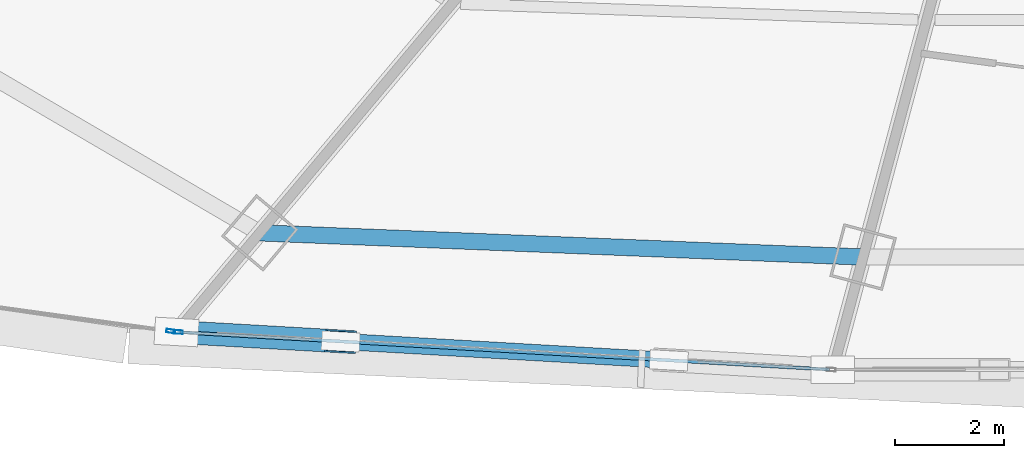
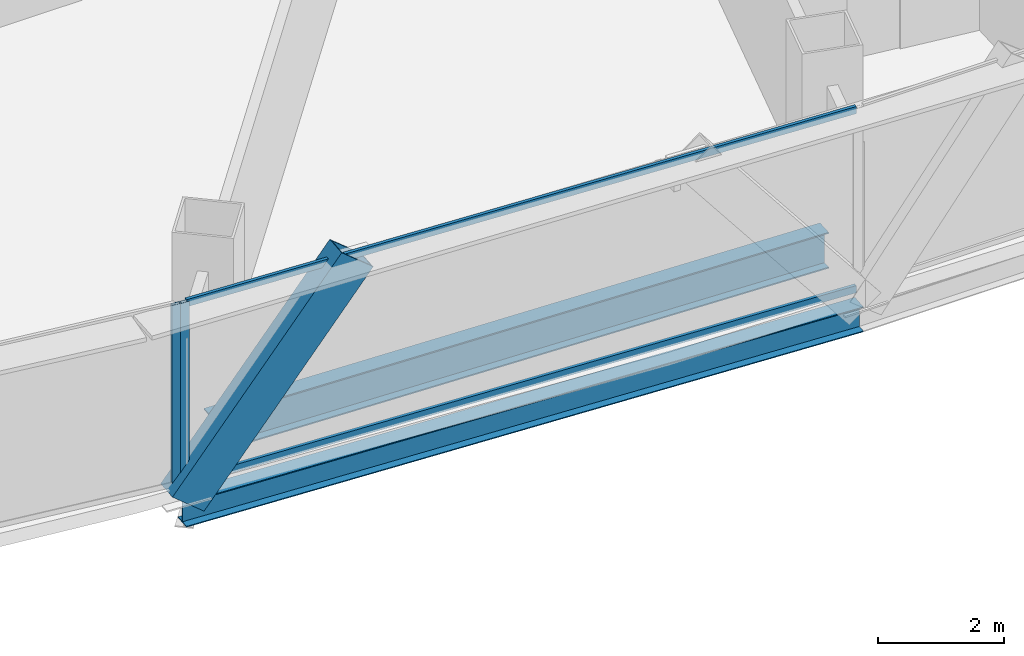
# One storey, part 6 of 38: 5 members, 2 beams, 2 elements without a shape of their own.
"""IFC4 building model written with IfcOpenShell, lengths in metres."""

from ifc_helpers import new_model, si_unit, direction, frame, origin, origin_2d, place, context, subcontext, project, spatial, hollow_rectangle, i_section, extrude, source, transform, mapped, material, layer, layer_set, material_profile, profile_set, type_object, element, aggregate, save


model = new_model("IFC4")

# Units and contexts
model_context = context("Model", 3, precision=1e-05, world=origin(), true_north=direction((0.0, 1.0)))
body_context = subcontext(model_context, "Body", "Model", "MODEL_VIEW")
ifc_project = project(units=[si_unit("LENGTHUNIT", "METRE"), si_unit("AREAUNIT", "SQUARE_METRE"), si_unit("VOLUMEUNIT", "CUBIC_METRE"), si_unit("PLANEANGLEUNIT", "RADIAN"), si_unit("MASSUNIT", "GRAM", prefix="KILO"), si_unit("THERMODYNAMICTEMPERATUREUNIT", "KELVIN"), si_unit("POWERUNIT", "WATT")], contexts=[model_context])

# Site, building, storey
site_placement = place(None, origin())
site = spatial("IfcSite", under=ifc_project, at=site_placement, CompositionType="ELEMENT")
building_placement = place(site_placement, origin())
building = spatial("IfcBuilding", under=site, at=building_placement, Name="Yunzhuo Pagoda Commons", CompositionType="ELEMENT")
storey_placement = place(building_placement, frame((0.0, 0.0, 81.179931640625)))
storey = spatial("IfcBuildingStorey", under=building, at=storey_placement, Name="L20", CompositionType="ELEMENT", Elevation=81.179931640625)

# Beams
ifc_material_1 = material(Name="Structural steel Q355B", Category="steel")
ifc_material_profile_1 = material_profile(ifc_material_1, i_section(OverallWidth=0.300048828125, OverallDepth=0.488037109375, WebThickness=0.010986328125, FlangeThickness=0.01806640625, at=origin_2d()), Name="Structural steel Q355B")
ifc_profile_set_1 = profile_set([ifc_material_profile_1], Name="Structural steel Q355B")
beam_type_1 = type_object("IfcBeamType", Name="B-SP1 Beam HM 488x300x11x18", PredefinedType="BEAM", material=ifc_profile_set_1)
shared_shape_1 = source(origin(), body_context, "Body", "SweptSolid", [
    extrude(i_section(OverallWidth=0.300048828125, OverallDepth=0.488037109375, WebThickness=0.010986328125, FlangeThickness=0.01806640625, at=origin_2d()), origin(), (0.0, 0.0, 1.0), 12.060791015625),
])
beam_1_placement = place(storey_placement, frame((30.037841796875, 12.293701171875, -0.50390625), z_axis=(0.99834961986, -0.057428534065, 0.0), x_axis=(0.057428534065, 0.99834961986, 0.0)))
element("IfcBeam", 1, at=beam_1_placement, inside=storey, type_object=beam_type_1, Name="L20 facade edge spandrel beam F1.1", PredefinedType="BEAM", context=body_context, shape_type="MappedRepresentation", body=[
    mapped(shared_shape_1, transform((0.0, 0.0, 0.0), scale=1.0)),
])
ifc_material_profile_2 = material_profile(ifc_material_1, i_section(OverallWidth=0.300048828125, OverallDepth=0.699951171875, WebThickness=0.012939453125, FlangeThickness=0.02392578125, at=origin_2d()), Name="Structural steel Q355B")
ifc_profile_set_2 = profile_set([ifc_material_profile_2], Name="Structural steel Q355B")
beam_type_2 = type_object("IfcBeamType", Name="B-RG1 Beam HN 700x300x13x24", PredefinedType="BEAM", material=ifc_profile_set_2)
shared_shape_2 = source(origin(), body_context, "Body", "SweptSolid", [
    extrude(i_section(OverallWidth=0.300048828125, OverallDepth=0.699951171875, WebThickness=0.012939453125, FlangeThickness=0.02392578125, at=origin_2d()), origin(), (0.0, 0.0, 1.0), 11.077392578125),
])
beam_2_placement = place(storey_placement, frame((31.56396484375, 14.1123046875, -0.60986328125), z_axis=(0.999196975427, -0.040067496776, 0.0), x_axis=(0.040067496776, 0.999196975427, 0.0)))
element("IfcBeam", 2, at=beam_2_placement, inside=storey, type_object=beam_type_2, Name="L20 column-ring beam 1", PredefinedType="BEAM", context=body_context, shape_type="MappedRepresentation", body=[
    mapped(shared_shape_2, transform((0.0, 0.0, 0.0), scale=1.0)),
])

# Member
ifc_material_2 = material(Name="Structural steel Q420B", Category="steel")
ifc_material_profile_3 = material_profile(ifc_material_2, hollow_rectangle(XDim=0.419921875, YDim=0.719970703125, WallThickness=0.028076171875, at=origin_2d()), Name="Structural steel Q420B")
ifc_profile_set_3 = profile_set([ifc_material_profile_3], Name="Structural steel Q420B")
member_type_1 = type_object("IfcMemberType", Name="M-DL1 Brace BOX 720x420x28", PredefinedType="BRACE", material=ifc_profile_set_3)
shared_shape_3 = source(origin(), body_context, "Body", "SweptSolid", [
    extrude(hollow_rectangle(XDim=0.419921875, YDim=0.719970703125, WallThickness=0.028076171875, at=origin_2d()), origin(), (0.0, 0.0, 1.0), 4.85107421875),
])
member_1_placement = place(storey_placement, frame((30.037841796875, 12.293701171875, -0.260009765625), z_axis=(0.62054722901, -0.035632395632, 0.783359093232), x_axis=(0.057326494961, 0.998355484272, 0.0)))
element("IfcMember", 3, at=member_1_placement, inside=storey, type_object=member_type_1, Name="L20 facade diamond brace F1.1L", PredefinedType="BRACE", context=body_context, shape_type="MappedRepresentation", body=[
    mapped(shared_shape_3, transform((0.0, 0.0, 0.0), scale=1.0)),
])

# Curtain wall, member
ifc_material_3 = material(Name="Anodized aluminium 6063-T6", Category="aluminium")
ifc_layer = layer(ifc_material_3, 0.1650390625)
ifc_layer_set = layer_set([ifc_layer], Name="Anodized aluminium 6063-T6")
curtain_wall_type = type_object("IfcCurtainWallType", Name="CW-LOW Low-Zone Ribbon Curtain Wall", PredefinedType="NOTDEFINED", material=ifc_layer_set)
curtain_wall_1_placement = place(storey_placement, origin())
curtain_wall_1 = element("IfcCurtainWall", 4, at=curtain_wall_1_placement, inside=storey, type_object=curtain_wall_type, Name="L20 curtain wall CW-L20-F1B2", PredefinedType="NOTDEFINED")
ifc_material_profile_4 = material_profile(ifc_material_3, hollow_rectangle(XDim=0.06494140625, YDim=0.1650390625, WallThickness=0.00390625, at=origin_2d()), Name="Anodized aluminium 6063-T6")
ifc_profile_set_4 = profile_set([ifc_material_profile_4], Name="Anodized aluminium 6063-T6")
member_type_2 = type_object("IfcMemberType", Name="CW-LOW-M Mullion RHS 165x65x4", PredefinedType="MULLION", material=ifc_profile_set_4)
shared_shape_4 = source(origin(), body_context, "Body", "SweptSolid", [
    extrude(hollow_rectangle(XDim=0.06494140625, YDim=0.1650390625, WallThickness=0.00390625, at=origin_2d()), origin(), (0.0, 0.0, 1.0), 3.5400390625),
])
member_2_placement = place(storey_placement, frame((30.070556640625, 12.291748046875, 0.0), z_axis=(0.0, 0.0, 1.0), x_axis=(0.057418382325, 0.998350203772, 0.0)))
member_2 = element("IfcMember", 5, at=member_2_placement, type_object=member_type_2, Name="CW mullion 1", PredefinedType="MULLION", context=body_context, shape_type="MappedRepresentation", body=[
    mapped(shared_shape_4, transform((0.0, 0.0, 0.0), scale=1.0)),
])

curtain_wall_2_placement = place(storey_placement, origin())
curtain_wall_2 = element("IfcCurtainWall", 6, at=curtain_wall_2_placement, inside=storey, type_object=curtain_wall_type, Name="L20 curtain wall CW-L20-F1B1", PredefinedType="NOTDEFINED")
member_3_placement = place(storey_placement, frame((29.931640625, 12.308349609375, 0.0), z_axis=(0.0, 0.0, 1.0), x_axis=(0.137495700118, 0.990502363677, 0.0)))
member_3 = element("IfcMember", 7, at=member_3_placement, type_object=member_type_2, Name="CW mullion 2", PredefinedType="MULLION", context=body_context, shape_type="MappedRepresentation", body=[
    mapped(shared_shape_4, transform((0.0, 0.0, 0.0), scale=1.0)),
])
aggregate(curtain_wall_2, [member_3])

# Member
ifc_material_profile_5 = material_profile(ifc_material_3, hollow_rectangle(XDim=0.06005859375, YDim=0.139892578125, WallThickness=0.00341796875, at=origin_2d()), Name="Anodized aluminium 6063-T6")
ifc_profile_set_5 = profile_set([ifc_material_profile_5], Name="Anodized aluminium 6063-T6")
member_type_3 = type_object("IfcMemberType", Name="CW-LOW-T Transom RHS 140x60x3.5", PredefinedType="USERDEFINED", material=ifc_profile_set_5)
shared_shape_5 = source(origin(), body_context, "Body", "SweptSolid", [
    extrude(hollow_rectangle(XDim=0.06005859375, YDim=0.139892578125, WallThickness=0.00341796875, at=origin_2d()), origin(), (0.0, 0.0, 1.0), 11.9306640625),
])
member_4_placement = place(storey_placement, frame((30.102783203125, 12.289794921875, 0.030029296875), z_axis=(0.998350086209, -0.057420426382, 0.0), x_axis=(0.057420426382, 0.998350086209, 0.0)))
member_4 = element("IfcMember", 8, at=member_4_placement, type_object=member_type_3, Name="CW transom 1.1", ObjectType="TRANSOM", PredefinedType="USERDEFINED", context=body_context, shape_type="MappedRepresentation", body=[
    mapped(shared_shape_5, transform((0.0, 0.0, 0.0), scale=1.0)),
])

member_5_placement = place(storey_placement, frame((30.102783203125, 12.289794921875, 3.510009765625), z_axis=(0.998350086209, -0.057420426382, 0.0), x_axis=(0.057420426382, 0.998350086209, 0.0)))
member_5 = element("IfcMember", 9, at=member_5_placement, type_object=member_type_3, Name="CW transom 1.2", ObjectType="TRANSOM", PredefinedType="USERDEFINED", context=body_context, shape_type="MappedRepresentation", body=[
    mapped(shared_shape_5, transform((0.0, 0.0, 0.0), scale=1.0)),
])

aggregate(curtain_wall_1, [member_2, member_4, member_5])

save(model, "model.ifc")
